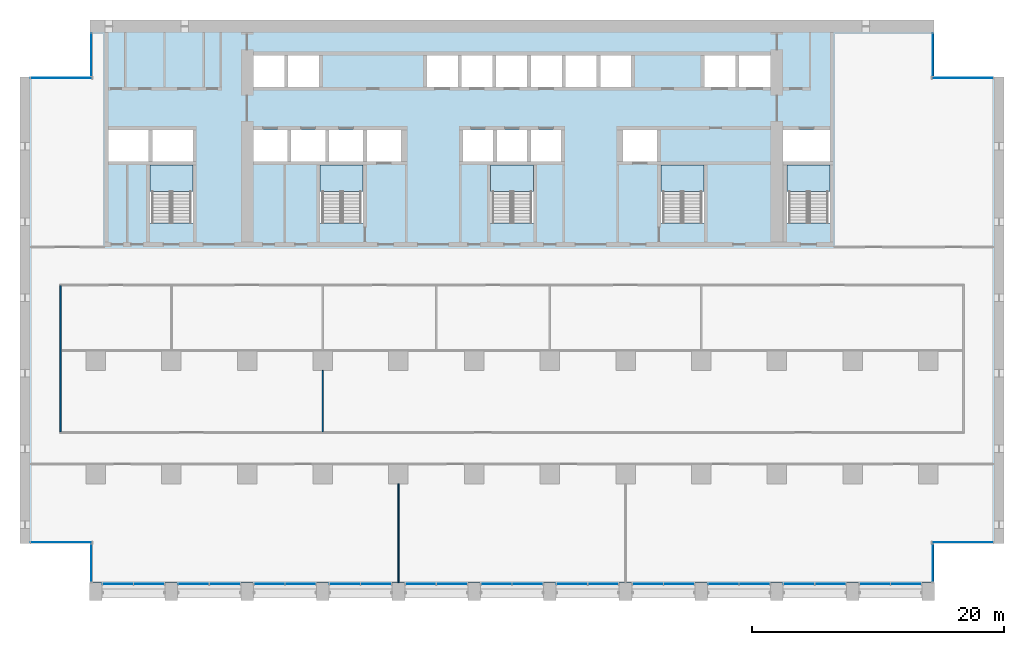
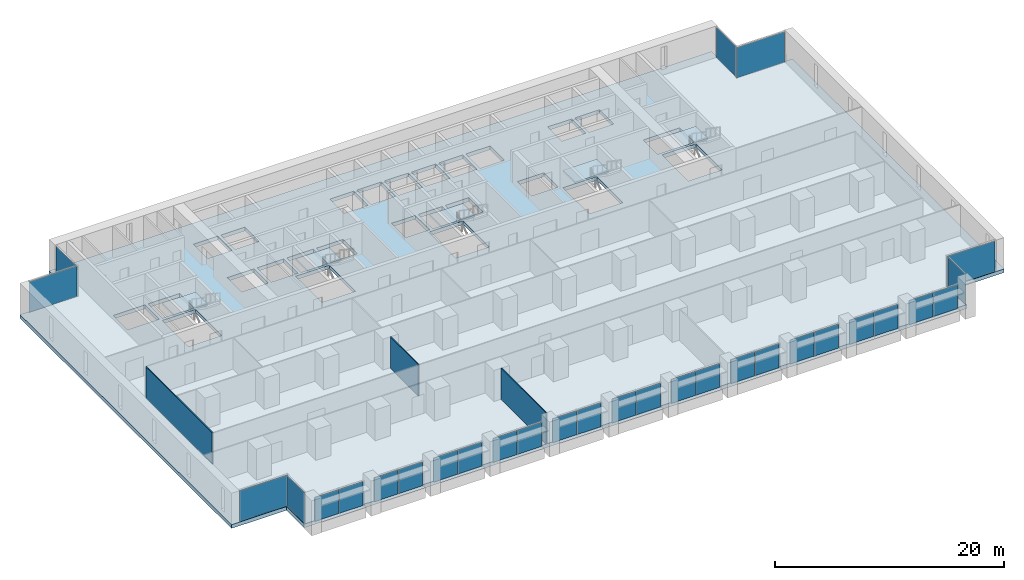
# One storey, part 7 of 17: 30 plates, 6 slabs, 3 walls, 24 elements without a shape of their own.
"""IFC4 building model written with IfcOpenShell, lengths in metres."""

from ifc_helpers import new_model, si_unit, direction, frame, frame_2d, origin, origin_2d, place, context, subcontext, project, spatial, polyline, rectangle, outline, extrude, material, layer, layer_set, type_object, element, aggregate, save


model = new_model("IFC4")

# Units and contexts
model_context = context("Model", 3, precision=1e-05, world=origin(), true_north=direction((0.0, 1.0)))
body_context = subcontext(model_context, "Body", "Model", "MODEL_VIEW")
ifc_project = project(units=[si_unit("LENGTHUNIT", "METRE"), si_unit("AREAUNIT", "SQUARE_METRE"), si_unit("VOLUMEUNIT", "CUBIC_METRE"), si_unit("PLANEANGLEUNIT", "RADIAN"), si_unit("MASSUNIT", "GRAM", prefix="KILO")], contexts=[model_context])

# Site, building, storey
site_placement = place(None, origin())
site = spatial("IfcSite", under=ifc_project, at=site_placement, CompositionType="ELEMENT")
building_placement = place(site_placement, origin())
building = spatial("IfcBuilding", under=site, at=building_placement, Name="Calvaro Tower", CompositionType="ELEMENT")
storey_placement = place(building_placement, frame((0.0, 0.0, 71.25)))
storey = spatial("IfcBuildingStorey", under=building, at=storey_placement, Name="L17", CompositionType="ELEMENT", Elevation=71.25)

# Slab
ifc_material_1 = material(Name="Concrete C40/50", Category="concrete")
ifc_layer_1 = layer(ifc_material_1, 0.39990234375)
ifc_layer_set_1 = layer_set([ifc_layer_1], Name="Concrete C40/50")
slab_type_1 = type_object("IfcSlabType", Name="Floor slab 400 C40/50", PredefinedType="FLOOR", material=ifc_layer_set_1)
slab_1_placement = place(storey_placement, frame((0.0, 0.0, -0.39990234375)))
element("IfcSlab", 1, at=slab_1_placement, inside=storey, type_object=slab_type_1, Name="Floor slab", PredefinedType="FLOOR", context=body_context, shape_type="SweptSolid", body=[
    extrude(outline(polyline([(72.449951171875, 4.5), (72.449951171875, 1.39990234375), (5.550048828125, 1.39990234375), (5.550048828125, 4.5), (0.0, 4.5), (0.0, 41.5), (5.550048828125, 41.5), (5.550048828125, 46.0), (72.449951171875, 46.0), (72.449951171875, 41.5), (78.0, 41.5), (78.0, 4.5), (72.449951171875, 4.5)]), holes=[polyline([(10.300048828125, 29.909912109375), (10.300048828125, 34.5), (12.0, 34.5), (13.699951171875, 34.5), (13.699951171875, 29.909912109375), (12.0, 29.909912109375), (10.300048828125, 29.909912109375)]), polyline([(23.800048828125, 29.909912109375), (23.800048828125, 34.5), (25.5, 34.5), (27.199951171875, 34.5), (27.199951171875, 29.909912109375), (25.5, 29.909912109375), (23.800048828125, 29.909912109375)]), polyline([(37.300048828125, 29.909912109375), (37.300048828125, 34.5), (39.0, 34.5), (40.699951171875, 34.5), (40.699951171875, 29.909912109375), (39.0, 29.909912109375), (37.300048828125, 29.909912109375)]), polyline([(50.800048828125, 29.909912109375), (50.800048828125, 34.5), (52.5, 34.5), (54.199951171875, 34.5), (54.199951171875, 29.909912109375), (52.5, 29.909912109375), (50.800048828125, 29.909912109375)]), polyline([(60.800048828125, 29.909912109375), (60.800048828125, 34.5), (62.5, 34.5), (64.199951171875, 34.5), (64.199951171875, 29.909912109375), (62.5, 29.909912109375), (60.800048828125, 29.909912109375)]), polyline([(18.5, 34.800048828125), (21.199951171875, 34.800048828125), (21.199951171875, 37.300048828125), (18.5, 37.300048828125), (18.5, 34.800048828125)]), polyline([(21.5, 34.800048828125), (24.199951171875, 34.800048828125), (24.199951171875, 37.300048828125), (21.5, 37.300048828125), (21.5, 34.800048828125)]), polyline([(24.5, 34.800048828125), (27.199951171875, 34.800048828125), (27.199951171875, 37.300048828125), (24.5, 37.300048828125), (24.5, 34.800048828125)]), polyline([(35.10009765625, 34.800048828125), (37.5, 34.800048828125), (37.5, 37.300048828125), (35.10009765625, 37.300048828125), (35.10009765625, 34.800048828125)]), polyline([(37.800048828125, 34.800048828125), (40.199951171875, 34.800048828125), (40.199951171875, 37.300048828125), (37.800048828125, 37.300048828125), (37.800048828125, 34.800048828125)]), polyline([(40.5, 34.800048828125), (42.89990234375, 34.800048828125), (42.89990234375, 37.300048828125), (40.5, 37.300048828125), (40.5, 34.800048828125)]), polyline([(18.5, 40.699951171875), (20.949951171875, 40.699951171875), (20.949951171875, 43.199951171875), (18.5, 43.199951171875), (18.5, 40.699951171875)]), polyline([(21.25, 40.699951171875), (23.699951171875, 40.699951171875), (23.699951171875, 43.199951171875), (21.25, 43.199951171875), (21.25, 40.699951171875)]), polyline([(32.25, 40.699951171875), (34.699951171875, 40.699951171875), (34.699951171875, 43.199951171875), (32.25, 43.199951171875), (32.25, 40.699951171875)]), polyline([(35.0, 40.699951171875), (37.449951171875, 40.699951171875), (37.449951171875, 43.199951171875), (35.0, 43.199951171875), (35.0, 40.699951171875)]), polyline([(37.75, 40.699951171875), (40.199951171875, 40.699951171875), (40.199951171875, 43.199951171875), (37.75, 43.199951171875), (37.75, 40.699951171875)]), polyline([(40.5, 40.699951171875), (42.949951171875, 40.699951171875), (42.949951171875, 43.199951171875), (40.5, 43.199951171875), (40.5, 40.699951171875)]), polyline([(43.25, 40.699951171875), (45.699951171875, 40.699951171875), (45.699951171875, 43.199951171875), (43.25, 43.199951171875), (43.25, 40.699951171875)]), polyline([(46.0, 40.699951171875), (48.449951171875, 40.699951171875), (48.449951171875, 43.199951171875), (46.0, 43.199951171875), (46.0, 40.699951171875)]), polyline([(54.25, 40.699951171875), (56.699951171875, 40.699951171875), (56.699951171875, 43.199951171875), (54.25, 43.199951171875), (54.25, 40.699951171875)]), polyline([(57.0, 40.699951171875), (59.5, 40.699951171875), (59.5, 43.199951171875), (57.0, 43.199951171875), (57.0, 40.699951171875)]), polyline([(7.0, 34.800048828125), (10.199951171875, 34.800048828125), (10.199951171875, 37.300048828125), (7.0, 37.300048828125), (7.0, 34.800048828125)]), polyline([(10.5, 34.800048828125), (13.699951171875, 34.800048828125), (13.699951171875, 37.300048828125), (10.5, 37.300048828125), (10.5, 34.800048828125)]), polyline([(60.5, 34.800048828125), (64.199951171875, 34.800048828125), (64.199951171875, 37.300048828125), (60.5, 37.300048828125), (60.5, 34.800048828125)]), polyline([(27.5, 34.800048828125), (30.199951171875, 34.800048828125), (30.199951171875, 37.300048828125), (27.5, 37.300048828125), (27.5, 34.800048828125)]), polyline([(47.800048828125, 34.800048828125), (50.5, 34.800048828125), (50.5, 37.300048828125), (47.800048828125, 37.300048828125), (47.800048828125, 34.800048828125)])]), origin(), (0.0, 0.0, 1.0), 0.39990234375),
])

# Curtain wall, plates
ifc_material_2 = material(Name="Anodised aluminium", Category="aluminium")
curtain_wall_type = type_object("IfcCurtainWallType", Name="Office curtain wall, lower zone", PredefinedType="NOTDEFINED", material=ifc_material_2)
curtain_wall_1_placement = place(storey_placement, origin())
curtain_wall_1 = element("IfcCurtainWall", 2, at=curtain_wall_1_placement, inside=storey, type_object=curtain_wall_type, Name="CW1 south curtain wall", PredefinedType="NOTDEFINED")
ifc_material_3 = material(Name="Glass", Category="glass")
ifc_layer_2 = layer(ifc_material_3, 0.028076171875)
ifc_layer_set_2 = layer_set([ifc_layer_2], Name="Glass")
plate_type = type_object("IfcPlateType", Name="Glass panel S1 28", PredefinedType="CURTAIN_PANEL", material=ifc_layer_set_2)
plate_1_placement = place(storey_placement, frame((7.764892578125, 1.300048828125, 0.0), z_axis=(0.0, 0.0, 1.0), x_axis=(1.0, 0.0, 0.0)))
plate_1 = element("IfcPlate", 3, at=plate_1_placement, type_object=plate_type, Name="CW1 glass panel 1.1", PredefinedType="CURTAIN_PANEL", context=body_context, shape_type="SweptSolid", body=[
    extrude(rectangle(XDim=2.409912109375, YDim=0.028076171875, at=origin_2d()), origin(), (0.0, 0.0, 1.0), 2.550048828125),
])
plate_2_placement = place(storey_placement, frame((10.235107421875, 1.300048828125, 0.0), z_axis=(0.0, 0.0, 1.0), x_axis=(1.0, 0.0, 0.0)))
plate_2 = element("IfcPlate", 4, at=plate_2_placement, type_object=plate_type, Name="CW1 glass panel 2.1", PredefinedType="CURTAIN_PANEL", context=body_context, shape_type="SweptSolid", body=[
    extrude(rectangle(XDim=2.409912109375, YDim=0.028076171875, at=origin_2d()), origin(), (0.0, 0.0, 1.0), 2.550048828125),
])
aggregate(curtain_wall_1, [plate_1, plate_2])

curtain_wall_2_placement = place(storey_placement, origin())
curtain_wall_2 = element("IfcCurtainWall", 5, at=curtain_wall_2_placement, inside=storey, type_object=curtain_wall_type, Name="CW1 south curtain wall", PredefinedType="NOTDEFINED")
plate_3_placement = place(storey_placement, frame((13.764892578125, 1.300048828125, 0.0), z_axis=(0.0, 0.0, 1.0), x_axis=(1.0, 0.0, 0.0)))
plate_3 = element("IfcPlate", 6, at=plate_3_placement, type_object=plate_type, Name="CW1 glass panel 1.1", PredefinedType="CURTAIN_PANEL", context=body_context, shape_type="SweptSolid", body=[
    extrude(rectangle(XDim=2.409912109375, YDim=0.028076171875, at=origin_2d()), origin(), (0.0, 0.0, 1.0), 2.550048828125),
])
plate_4_placement = place(storey_placement, frame((16.235107421875, 1.300048828125, 0.0), z_axis=(0.0, 0.0, 1.0), x_axis=(1.0, 0.0, 0.0)))
plate_4 = element("IfcPlate", 7, at=plate_4_placement, type_object=plate_type, Name="CW1 glass panel 2.1", PredefinedType="CURTAIN_PANEL", context=body_context, shape_type="SweptSolid", body=[
    extrude(rectangle(XDim=2.409912109375, YDim=0.028076171875, at=origin_2d()), origin(), (0.0, 0.0, 1.0), 2.550048828125),
])
aggregate(curtain_wall_2, [plate_3, plate_4])

curtain_wall_3_placement = place(storey_placement, origin())
curtain_wall_3 = element("IfcCurtainWall", 8, at=curtain_wall_3_placement, inside=storey, type_object=curtain_wall_type, Name="CW1 south curtain wall", PredefinedType="NOTDEFINED")
plate_5_placement = place(storey_placement, frame((19.764892578125, 1.300048828125, 0.0), z_axis=(0.0, 0.0, 1.0), x_axis=(1.0, 0.0, 0.0)))
plate_5 = element("IfcPlate", 9, at=plate_5_placement, type_object=plate_type, Name="CW1 glass panel 1.1", PredefinedType="CURTAIN_PANEL", context=body_context, shape_type="SweptSolid", body=[
    extrude(rectangle(XDim=2.409912109375, YDim=0.028076171875, at=origin_2d()), origin(), (0.0, 0.0, 1.0), 2.550048828125),
])
plate_6_placement = place(storey_placement, frame((22.235107421875, 1.300048828125, 0.0), z_axis=(0.0, 0.0, 1.0), x_axis=(1.0, 0.0, 0.0)))
plate_6 = element("IfcPlate", 10, at=plate_6_placement, type_object=plate_type, Name="CW1 glass panel 2.1", PredefinedType="CURTAIN_PANEL", context=body_context, shape_type="SweptSolid", body=[
    extrude(rectangle(XDim=2.409912109375, YDim=0.028076171875, at=origin_2d()), origin(), (0.0, 0.0, 1.0), 2.550048828125),
])
aggregate(curtain_wall_3, [plate_5, plate_6])

curtain_wall_4_placement = place(storey_placement, origin())
curtain_wall_4 = element("IfcCurtainWall", 11, at=curtain_wall_4_placement, inside=storey, type_object=curtain_wall_type, Name="CW1 south curtain wall", PredefinedType="NOTDEFINED")
plate_7_placement = place(storey_placement, frame((25.764892578125, 1.300048828125, 0.0), z_axis=(0.0, 0.0, 1.0), x_axis=(1.0, 0.0, 0.0)))
plate_7 = element("IfcPlate", 12, at=plate_7_placement, type_object=plate_type, Name="CW1 glass panel 1.1", PredefinedType="CURTAIN_PANEL", context=body_context, shape_type="SweptSolid", body=[
    extrude(rectangle(XDim=2.409912109375, YDim=0.028076171875, at=origin_2d()), origin(), (0.0, 0.0, 1.0), 2.550048828125),
])
plate_8_placement = place(storey_placement, frame((28.235107421875, 1.300048828125, 0.0), z_axis=(0.0, 0.0, 1.0), x_axis=(1.0, 0.0, 0.0)))
plate_8 = element("IfcPlate", 13, at=plate_8_placement, type_object=plate_type, Name="CW1 glass panel 2.1", PredefinedType="CURTAIN_PANEL", context=body_context, shape_type="SweptSolid", body=[
    extrude(rectangle(XDim=2.409912109375, YDim=0.028076171875, at=origin_2d()), origin(), (0.0, 0.0, 1.0), 2.550048828125),
])
aggregate(curtain_wall_4, [plate_7, plate_8])

curtain_wall_5_placement = place(storey_placement, origin())
curtain_wall_5 = element("IfcCurtainWall", 14, at=curtain_wall_5_placement, inside=storey, type_object=curtain_wall_type, Name="CW1 south curtain wall", PredefinedType="NOTDEFINED")
plate_9_placement = place(storey_placement, frame((31.764892578125, 1.300048828125, 0.0), z_axis=(0.0, 0.0, 1.0), x_axis=(1.0, 0.0, 0.0)))
plate_9 = element("IfcPlate", 15, at=plate_9_placement, type_object=plate_type, Name="CW1 glass panel 1.1", PredefinedType="CURTAIN_PANEL", context=body_context, shape_type="SweptSolid", body=[
    extrude(rectangle(XDim=2.409912109375, YDim=0.028076171875, at=origin_2d()), origin(), (0.0, 0.0, 1.0), 2.550048828125),
])
plate_10_placement = place(storey_placement, frame((34.235107421875, 1.300048828125, 0.0), z_axis=(0.0, 0.0, 1.0), x_axis=(1.0, 0.0, 0.0)))
plate_10 = element("IfcPlate", 16, at=plate_10_placement, type_object=plate_type, Name="CW1 glass panel 2.1", PredefinedType="CURTAIN_PANEL", context=body_context, shape_type="SweptSolid", body=[
    extrude(rectangle(XDim=2.409912109375, YDim=0.028076171875, at=origin_2d()), origin(), (0.0, 0.0, 1.0), 2.550048828125),
])
aggregate(curtain_wall_5, [plate_9, plate_10])

curtain_wall_6_placement = place(storey_placement, origin())
curtain_wall_6 = element("IfcCurtainWall", 17, at=curtain_wall_6_placement, inside=storey, type_object=curtain_wall_type, Name="CW1 south curtain wall", PredefinedType="NOTDEFINED")
plate_11_placement = place(storey_placement, frame((37.764892578125, 1.300048828125, 0.0), z_axis=(0.0, 0.0, 1.0), x_axis=(1.0, 0.0, 0.0)))
plate_11 = element("IfcPlate", 18, at=plate_11_placement, type_object=plate_type, Name="CW1 glass panel 1.1", PredefinedType="CURTAIN_PANEL", context=body_context, shape_type="SweptSolid", body=[
    extrude(rectangle(XDim=2.409912109375, YDim=0.028076171875, at=origin_2d()), origin(), (0.0, 0.0, 1.0), 2.550048828125),
])
plate_12_placement = place(storey_placement, frame((40.235107421875, 1.300048828125, 0.0), z_axis=(0.0, 0.0, 1.0), x_axis=(1.0, 0.0, 0.0)))
plate_12 = element("IfcPlate", 19, at=plate_12_placement, type_object=plate_type, Name="CW1 glass panel 2.1", PredefinedType="CURTAIN_PANEL", context=body_context, shape_type="SweptSolid", body=[
    extrude(rectangle(XDim=2.409912109375, YDim=0.028076171875, at=origin_2d()), origin(), (0.0, 0.0, 1.0), 2.550048828125),
])
aggregate(curtain_wall_6, [plate_11, plate_12])

curtain_wall_7_placement = place(storey_placement, origin())
curtain_wall_7 = element("IfcCurtainWall", 20, at=curtain_wall_7_placement, inside=storey, type_object=curtain_wall_type, Name="CW1 south curtain wall", PredefinedType="NOTDEFINED")
plate_13_placement = place(storey_placement, frame((43.764892578125, 1.300048828125, 0.0), z_axis=(0.0, 0.0, 1.0), x_axis=(1.0, 0.0, 0.0)))
plate_13 = element("IfcPlate", 21, at=plate_13_placement, type_object=plate_type, Name="CW1 glass panel 1.1", PredefinedType="CURTAIN_PANEL", context=body_context, shape_type="SweptSolid", body=[
    extrude(rectangle(XDim=2.409912109375, YDim=0.028076171875, at=origin_2d()), origin(), (0.0, 0.0, 1.0), 2.550048828125),
])
plate_14_placement = place(storey_placement, frame((46.235107421875, 1.300048828125, 0.0), z_axis=(0.0, 0.0, 1.0), x_axis=(1.0, 0.0, 0.0)))
plate_14 = element("IfcPlate", 22, at=plate_14_placement, type_object=plate_type, Name="CW1 glass panel 2.1", PredefinedType="CURTAIN_PANEL", context=body_context, shape_type="SweptSolid", body=[
    extrude(rectangle(XDim=2.409912109375, YDim=0.028076171875, at=origin_2d()), origin(), (0.0, 0.0, 1.0), 2.550048828125),
])
aggregate(curtain_wall_7, [plate_13, plate_14])

curtain_wall_8_placement = place(storey_placement, origin())
curtain_wall_8 = element("IfcCurtainWall", 23, at=curtain_wall_8_placement, inside=storey, type_object=curtain_wall_type, Name="CW1 south curtain wall", PredefinedType="NOTDEFINED")
plate_15_placement = place(storey_placement, frame((49.764892578125, 1.300048828125, 0.0), z_axis=(0.0, 0.0, 1.0), x_axis=(1.0, 0.0, 0.0)))
plate_15 = element("IfcPlate", 24, at=plate_15_placement, type_object=plate_type, Name="CW1 glass panel 1.1", PredefinedType="CURTAIN_PANEL", context=body_context, shape_type="SweptSolid", body=[
    extrude(rectangle(XDim=2.409912109375, YDim=0.028076171875, at=origin_2d()), origin(), (0.0, 0.0, 1.0), 2.550048828125),
])
plate_16_placement = place(storey_placement, frame((52.235107421875, 1.300048828125, 0.0), z_axis=(0.0, 0.0, 1.0), x_axis=(1.0, 0.0, 0.0)))
plate_16 = element("IfcPlate", 25, at=plate_16_placement, type_object=plate_type, Name="CW1 glass panel 2.1", PredefinedType="CURTAIN_PANEL", context=body_context, shape_type="SweptSolid", body=[
    extrude(rectangle(XDim=2.409912109375, YDim=0.028076171875, at=origin_2d()), origin(), (0.0, 0.0, 1.0), 2.550048828125),
])
aggregate(curtain_wall_8, [plate_15, plate_16])

curtain_wall_9_placement = place(storey_placement, origin())
curtain_wall_9 = element("IfcCurtainWall", 26, at=curtain_wall_9_placement, inside=storey, type_object=curtain_wall_type, Name="CW1 south curtain wall", PredefinedType="NOTDEFINED")
plate_17_placement = place(storey_placement, frame((55.764892578125, 1.300048828125, 0.0), z_axis=(0.0, 0.0, 1.0), x_axis=(1.0, 0.0, 0.0)))
plate_17 = element("IfcPlate", 27, at=plate_17_placement, type_object=plate_type, Name="CW1 glass panel 1.1", PredefinedType="CURTAIN_PANEL", context=body_context, shape_type="SweptSolid", body=[
    extrude(rectangle(XDim=2.409912109375, YDim=0.028076171875, at=origin_2d()), origin(), (0.0, 0.0, 1.0), 2.550048828125),
])
plate_18_placement = place(storey_placement, frame((58.235107421875, 1.300048828125, 0.0), z_axis=(0.0, 0.0, 1.0), x_axis=(1.0, 0.0, 0.0)))
plate_18 = element("IfcPlate", 28, at=plate_18_placement, type_object=plate_type, Name="CW1 glass panel 2.1", PredefinedType="CURTAIN_PANEL", context=body_context, shape_type="SweptSolid", body=[
    extrude(rectangle(XDim=2.409912109375, YDim=0.028076171875, at=origin_2d()), origin(), (0.0, 0.0, 1.0), 2.550048828125),
])
aggregate(curtain_wall_9, [plate_17, plate_18])

curtain_wall_10_placement = place(storey_placement, origin())
curtain_wall_10 = element("IfcCurtainWall", 29, at=curtain_wall_10_placement, inside=storey, type_object=curtain_wall_type, Name="CW1 south curtain wall", PredefinedType="NOTDEFINED")
plate_19_placement = place(storey_placement, frame((61.764892578125, 1.300048828125, 0.0), z_axis=(0.0, 0.0, 1.0), x_axis=(1.0, 0.0, 0.0)))
plate_19 = element("IfcPlate", 30, at=plate_19_placement, type_object=plate_type, Name="CW1 glass panel 1.1", PredefinedType="CURTAIN_PANEL", context=body_context, shape_type="SweptSolid", body=[
    extrude(rectangle(XDim=2.409912109375, YDim=0.028076171875, at=origin_2d()), origin(), (0.0, 0.0, 1.0), 2.550048828125),
])
plate_20_placement = place(storey_placement, frame((64.235107421875, 1.300048828125, 0.0), z_axis=(0.0, 0.0, 1.0), x_axis=(1.0, 0.0, 0.0)))
plate_20 = element("IfcPlate", 31, at=plate_20_placement, type_object=plate_type, Name="CW1 glass panel 2.1", PredefinedType="CURTAIN_PANEL", context=body_context, shape_type="SweptSolid", body=[
    extrude(rectangle(XDim=2.409912109375, YDim=0.028076171875, at=origin_2d()), origin(), (0.0, 0.0, 1.0), 2.550048828125),
])
aggregate(curtain_wall_10, [plate_19, plate_20])

curtain_wall_11_placement = place(storey_placement, origin())
curtain_wall_11 = element("IfcCurtainWall", 32, at=curtain_wall_11_placement, inside=storey, type_object=curtain_wall_type, Name="CW1 south curtain wall", PredefinedType="NOTDEFINED")
plate_21_placement = place(storey_placement, frame((67.764892578125, 1.300048828125, 0.0), z_axis=(0.0, 0.0, 1.0), x_axis=(1.0, 0.0, 0.0)))
plate_21 = element("IfcPlate", 33, at=plate_21_placement, type_object=plate_type, Name="CW1 glass panel 1.1", PredefinedType="CURTAIN_PANEL", context=body_context, shape_type="SweptSolid", body=[
    extrude(rectangle(XDim=2.409912109375, YDim=0.028076171875, at=origin_2d()), origin(), (0.0, 0.0, 1.0), 2.550048828125),
])
plate_22_placement = place(storey_placement, frame((70.235107421875, 1.300048828125, 0.0), z_axis=(0.0, 0.0, 1.0), x_axis=(1.0, 0.0, 0.0)))
plate_22 = element("IfcPlate", 34, at=plate_22_placement, type_object=plate_type, Name="CW1 glass panel 2.1", PredefinedType="CURTAIN_PANEL", context=body_context, shape_type="SweptSolid", body=[
    extrude(rectangle(XDim=2.409912109375, YDim=0.028076171875, at=origin_2d()), origin(), (0.0, 0.0, 1.0), 2.550048828125),
])
aggregate(curtain_wall_11, [plate_21, plate_22])

# Curtain wall, plate
curtain_wall_12_placement = place(storey_placement, origin())
curtain_wall_12 = element("IfcCurtainWall", 35, at=curtain_wall_12_placement, inside=storey, type_object=curtain_wall_type, Name="CW1 corner curtain wall", PredefinedType="NOTDEFINED")
plate_23_placement = place(storey_placement, frame((5.64990234375, 2.949951171875, 0.0), z_axis=(0.0, 0.0, 1.0), x_axis=(0.0, 1.0, 0.0)))
plate_23 = element("IfcPlate", 36, at=plate_23_placement, type_object=plate_type, Name="CW1 glass panel 1.1", PredefinedType="CURTAIN_PANEL", context=body_context, shape_type="SweptSolid", body=[
    extrude(rectangle(XDim=2.97998046875, YDim=0.028076171875, at=origin_2d()), origin(), (0.0, 0.0, 1.0), 3.25),
])
aggregate(curtain_wall_12, [plate_23])

curtain_wall_13_placement = place(storey_placement, origin())
curtain_wall_13 = element("IfcCurtainWall", 37, at=curtain_wall_13_placement, inside=storey, type_object=curtain_wall_type, Name="CW1 corner curtain wall", PredefinedType="NOTDEFINED")
plate_24_placement = place(storey_placement, frame((3.27490234375, 4.60009765625, 0.0), z_axis=(0.0, 0.0, 1.0), x_axis=(1.0, 0.0, 0.0)))
plate_24 = element("IfcPlate", 38, at=plate_24_placement, type_object=plate_type, Name="CW1 glass panel 1.1", PredefinedType="CURTAIN_PANEL", context=body_context, shape_type="SweptSolid", body=[
    extrude(rectangle(XDim=4.830078125, YDim=0.028076171875, at=origin_2d()), origin(), (0.0, 0.0, 1.0), 3.25),
])
aggregate(curtain_wall_13, [plate_24])

curtain_wall_14_placement = place(storey_placement, origin())
curtain_wall_14 = element("IfcCurtainWall", 39, at=curtain_wall_14_placement, inside=storey, type_object=curtain_wall_type, Name="CW1 corner curtain wall", PredefinedType="NOTDEFINED")
plate_25_placement = place(storey_placement, frame((5.64990234375, 43.25, 0.0), z_axis=(0.0, 0.0, 1.0), x_axis=(0.0, 1.0, 0.0)))
plate_25 = element("IfcPlate", 40, at=plate_25_placement, type_object=plate_type, Name="CW1 glass panel 1.1", PredefinedType="CURTAIN_PANEL", context=body_context, shape_type="SweptSolid", body=[
    extrude(rectangle(XDim=3.3798828125, YDim=0.028076171875, at=origin_2d()), origin(), (0.0, 0.0, 1.0), 3.25),
])
aggregate(curtain_wall_14, [plate_25])

curtain_wall_15_placement = place(storey_placement, origin())
curtain_wall_15 = element("IfcCurtainWall", 41, at=curtain_wall_15_placement, inside=storey, type_object=curtain_wall_type, Name="CW1 corner curtain wall", PredefinedType="NOTDEFINED")
plate_26_placement = place(storey_placement, frame((3.27490234375, 41.39990234375, 0.0), z_axis=(0.0, 0.0, 1.0), x_axis=(1.0, 0.0, 0.0)))
plate_26 = element("IfcPlate", 42, at=plate_26_placement, type_object=plate_type, Name="CW1 glass panel 1.1", PredefinedType="CURTAIN_PANEL", context=body_context, shape_type="SweptSolid", body=[
    extrude(rectangle(XDim=4.830078125, YDim=0.028076171875, at=origin_2d()), origin(), (0.0, 0.0, 1.0), 3.25),
])
aggregate(curtain_wall_15, [plate_26])

curtain_wall_16_placement = place(storey_placement, origin())
curtain_wall_16 = element("IfcCurtainWall", 43, at=curtain_wall_16_placement, inside=storey, type_object=curtain_wall_type, Name="CW1 corner curtain wall", PredefinedType="NOTDEFINED")
plate_27_placement = place(storey_placement, frame((72.35009765625, 2.949951171875, 0.0), z_axis=(0.0, 0.0, 1.0), x_axis=(0.0, 1.0, 0.0)))
plate_27 = element("IfcPlate", 44, at=plate_27_placement, type_object=plate_type, Name="CW1 glass panel 1.1", PredefinedType="CURTAIN_PANEL", context=body_context, shape_type="SweptSolid", body=[
    extrude(rectangle(XDim=2.97998046875, YDim=0.028076171875, at=origin_2d()), origin(), (0.0, 0.0, 1.0), 3.25),
])
aggregate(curtain_wall_16, [plate_27])

curtain_wall_17_placement = place(storey_placement, origin())
curtain_wall_17 = element("IfcCurtainWall", 45, at=curtain_wall_17_placement, inside=storey, type_object=curtain_wall_type, Name="CW1 corner curtain wall", PredefinedType="NOTDEFINED")
plate_28_placement = place(storey_placement, frame((74.72509765625, 4.60009765625, 0.0), z_axis=(0.0, 0.0, 1.0), x_axis=(1.0, 0.0, 0.0)))
plate_28 = element("IfcPlate", 46, at=plate_28_placement, type_object=plate_type, Name="CW1 glass panel 1.1", PredefinedType="CURTAIN_PANEL", context=body_context, shape_type="SweptSolid", body=[
    extrude(rectangle(XDim=4.830078125, YDim=0.028076171875, at=origin_2d()), origin(), (0.0, 0.0, 1.0), 3.25),
])
aggregate(curtain_wall_17, [plate_28])

curtain_wall_18_placement = place(storey_placement, origin())
curtain_wall_18 = element("IfcCurtainWall", 47, at=curtain_wall_18_placement, inside=storey, type_object=curtain_wall_type, Name="CW1 corner curtain wall", PredefinedType="NOTDEFINED")
plate_29_placement = place(storey_placement, frame((72.35009765625, 43.25, 0.0), z_axis=(0.0, 0.0, 1.0), x_axis=(0.0, 1.0, 0.0)))
plate_29 = element("IfcPlate", 48, at=plate_29_placement, type_object=plate_type, Name="CW1 glass panel 1.1", PredefinedType="CURTAIN_PANEL", context=body_context, shape_type="SweptSolid", body=[
    extrude(rectangle(XDim=3.3798828125, YDim=0.028076171875, at=origin_2d()), origin(), (0.0, 0.0, 1.0), 3.25),
])
aggregate(curtain_wall_18, [plate_29])

curtain_wall_19_placement = place(storey_placement, origin())
curtain_wall_19 = element("IfcCurtainWall", 49, at=curtain_wall_19_placement, inside=storey, type_object=curtain_wall_type, Name="CW1 corner curtain wall", PredefinedType="NOTDEFINED")
plate_30_placement = place(storey_placement, frame((74.72509765625, 41.39990234375, 0.0), z_axis=(0.0, 0.0, 1.0), x_axis=(1.0, 0.0, 0.0)))
plate_30 = element("IfcPlate", 50, at=plate_30_placement, type_object=plate_type, Name="CW1 glass panel 1.1", PredefinedType="CURTAIN_PANEL", context=body_context, shape_type="SweptSolid", body=[
    extrude(rectangle(XDim=4.830078125, YDim=0.028076171875, at=origin_2d()), origin(), (0.0, 0.0, 1.0), 3.25),
])
aggregate(curtain_wall_19, [plate_30])

# Stair, slab
ifc_material_4 = material(Name="Concrete C40/50", Category="concrete")
stair_type = type_object("IfcStairType", Name="Exit stair 1400 2 flights", PredefinedType="HALF_TURN_STAIR", material=ifc_material_4)
stair_1_placement = place(storey_placement, origin())
stair_1 = element("IfcStair", 51, at=stair_1_placement, inside=storey, type_object=stair_type, Name="Exit stair S1", PredefinedType="HALF_TURN_STAIR")
ifc_material_5 = material(Name="Concrete C40/50", Category="concrete")
ifc_layer_3 = layer(ifc_material_5, 0.199951171875)
ifc_layer_set_3 = layer_set([ifc_layer_3], Name="Concrete C40/50")
slab_type_2 = type_object("IfcSlabType", Name="Stair landing", PredefinedType="LANDING", material=ifc_layer_set_3)
slab_2_placement = place(storey_placement, frame((0.0, 0.0, 1.675048828125)))
slab_2 = element("IfcSlab", 52, at=slab_2_placement, type_object=slab_type_2, Name="Exit stair 1, landing 1", PredefinedType="LANDING", context=body_context, shape_type="SweptSolid", body=[
    extrude(outline(polyline([(11.89990234375, 32.389892578125), (10.5, 32.389892578125), (10.5, 32.39990234375), (10.300048828125, 32.39990234375), (10.300048828125, 34.5), (10.5, 34.5), (11.89990234375, 34.5), (12.10009765625, 34.5), (13.5, 34.5), (13.699951171875, 34.5), (13.699951171875, 32.39990234375), (13.5, 32.39990234375), (13.5, 32.389892578125), (12.10009765625, 32.389892578125), (12.10009765625, 32.39990234375), (11.89990234375, 32.39990234375), (11.89990234375, 32.389892578125)])), origin(), (0.0, 0.0, 1.0), 0.199951171875),
])
aggregate(stair_1, [slab_2])

stair_2_placement = place(storey_placement, origin())
stair_2 = element("IfcStair", 53, at=stair_2_placement, inside=storey, type_object=stair_type, Name="Exit stair S2", PredefinedType="HALF_TURN_STAIR")
slab_3_placement = place(storey_placement, frame((0.0, 0.0, 1.675048828125)))
slab_3 = element("IfcSlab", 54, at=slab_3_placement, type_object=slab_type_2, Name="Exit stair 2, landing 1", PredefinedType="LANDING", context=body_context, shape_type="SweptSolid", body=[
    extrude(outline(polyline([(25.39990234375, 32.389892578125), (24.0, 32.389892578125), (24.0, 32.39990234375), (23.800048828125, 32.39990234375), (23.800048828125, 34.5), (24.0, 34.5), (25.39990234375, 34.5), (25.60009765625, 34.5), (27.0, 34.5), (27.199951171875, 34.5), (27.199951171875, 32.39990234375), (27.0, 32.39990234375), (27.0, 32.389892578125), (25.60009765625, 32.389892578125), (25.60009765625, 32.39990234375), (25.39990234375, 32.39990234375), (25.39990234375, 32.389892578125)])), origin(), (0.0, 0.0, 1.0), 0.199951171875),
])
aggregate(stair_2, [slab_3])

stair_3_placement = place(storey_placement, origin())
stair_3 = element("IfcStair", 55, at=stair_3_placement, inside=storey, type_object=stair_type, Name="Exit stair S3", PredefinedType="HALF_TURN_STAIR")
slab_4_placement = place(storey_placement, frame((0.0, 0.0, 1.675048828125)))
slab_4 = element("IfcSlab", 56, at=slab_4_placement, type_object=slab_type_2, Name="Exit stair 3, landing 1", PredefinedType="LANDING", context=body_context, shape_type="SweptSolid", body=[
    extrude(outline(polyline([(38.89990234375, 32.389892578125), (37.5, 32.389892578125), (37.5, 32.39990234375), (37.300048828125, 32.39990234375), (37.300048828125, 34.5), (37.5, 34.5), (38.89990234375, 34.5), (39.10009765625, 34.5), (40.5, 34.5), (40.699951171875, 34.5), (40.699951171875, 32.39990234375), (40.5, 32.39990234375), (40.5, 32.389892578125), (39.10009765625, 32.389892578125), (39.10009765625, 32.39990234375), (38.89990234375, 32.39990234375), (38.89990234375, 32.389892578125)])), origin(), (0.0, 0.0, 1.0), 0.199951171875),
])
aggregate(stair_3, [slab_4])

stair_4_placement = place(storey_placement, origin())
stair_4 = element("IfcStair", 57, at=stair_4_placement, inside=storey, type_object=stair_type, Name="Exit stair S4", PredefinedType="HALF_TURN_STAIR")
slab_5_placement = place(storey_placement, frame((0.0, 0.0, 1.675048828125)))
slab_5 = element("IfcSlab", 58, at=slab_5_placement, type_object=slab_type_2, Name="Exit stair 4, landing 1", PredefinedType="LANDING", context=body_context, shape_type="SweptSolid", body=[
    extrude(outline(polyline([(52.39990234375, 32.389892578125), (51.0, 32.389892578125), (51.0, 32.39990234375), (50.800048828125, 32.39990234375), (50.800048828125, 34.5), (51.0, 34.5), (52.39990234375, 34.5), (52.60009765625, 34.5), (54.0, 34.5), (54.199951171875, 34.5), (54.199951171875, 32.39990234375), (54.0, 32.39990234375), (54.0, 32.389892578125), (52.60009765625, 32.389892578125), (52.60009765625, 32.39990234375), (52.39990234375, 32.39990234375), (52.39990234375, 32.389892578125)])), origin(), (0.0, 0.0, 1.0), 0.199951171875),
])
aggregate(stair_4, [slab_5])

stair_5_placement = place(storey_placement, origin())
stair_5 = element("IfcStair", 59, at=stair_5_placement, inside=storey, type_object=stair_type, Name="Exit stair S5", PredefinedType="HALF_TURN_STAIR")
slab_6_placement = place(storey_placement, frame((0.0, 0.0, 1.675048828125)))
slab_6 = element("IfcSlab", 60, at=slab_6_placement, type_object=slab_type_2, Name="Exit stair 5, landing 1", PredefinedType="LANDING", context=body_context, shape_type="SweptSolid", body=[
    extrude(outline(polyline([(62.39990234375, 32.389892578125), (61.0, 32.389892578125), (61.0, 32.39990234375), (60.800048828125, 32.39990234375), (60.800048828125, 34.5), (61.0, 34.5), (62.39990234375, 34.5), (62.60009765625, 34.5), (64.0, 34.5), (64.199951171875, 34.5), (64.199951171875, 32.39990234375), (64.0, 32.39990234375), (64.0, 32.389892578125), (62.60009765625, 32.389892578125), (62.60009765625, 32.39990234375), (62.39990234375, 32.39990234375), (62.39990234375, 32.389892578125)])), origin(), (0.0, 0.0, 1.0), 0.199951171875),
])
aggregate(stair_5, [slab_6])

# Walls
ifc_material_6 = material(Name="Plasterboard on steel studs", Category="steel")
ifc_layer_4 = layer(ifc_material_6, 0.10009765625)
ifc_layer_set_4 = layer_set([ifc_layer_4], Name="Plasterboard on steel studs")
wall_type = type_object("IfcWallType", Name="Partition 100", PredefinedType="PARTITIONING", material=ifc_layer_set_4)
wall_1_placement = place(storey_placement, frame((3.199951171875, 13.35009765625, 0.0), z_axis=(0.0, 0.0, 1.0), x_axis=(0.0, 1.0, 0.0)))
element("IfcWall", 61, at=wall_1_placement, inside=storey, type_object=wall_type, Name="Partition T13.W007", PredefinedType="PARTITIONING", context=body_context, shape_type="SweptSolid", body=[
    extrude(rectangle(XDim=11.599853515625, YDim=0.10009765625, at=frame_2d((5.7998046875, 0.0))), origin(), (0.0, 0.0, 1.0), 3.35009765625),
])
wall_2_placement = place(storey_placement, frame((24.0, 13.35009765625, 0.0), z_axis=(0.0, 0.0, 1.0), x_axis=(0.0, 1.0, 0.0)))
element("IfcWall", 62, at=wall_2_placement, inside=storey, type_object=wall_type, Name="Partition T13.W009", PredefinedType="PARTITIONING", context=body_context, shape_type="SweptSolid", body=[
    extrude(rectangle(XDim=4.875, YDim=0.10009765625, at=frame_2d((2.4375, 0.0))), origin(), (0.0, 0.0, 1.0), 3.35009765625),
])
wall_3_placement = place(storey_placement, frame((30.0, 1.39990234375, 0.0), z_axis=(0.0, 0.0, 1.0), x_axis=(0.0, 1.0, 0.0)))
element("IfcWall", 63, at=wall_3_placement, inside=storey, type_object=wall_type, Name="Partition T13.W011", PredefinedType="PARTITIONING", context=body_context, shape_type="SweptSolid", body=[
    extrude(rectangle(XDim=7.8251953125, YDim=0.10009765625, at=frame_2d((3.91259765625, 0.0))), origin(), (0.0, 0.0, 1.0), 3.35009765625),
])

save(model, "model.ifc")
